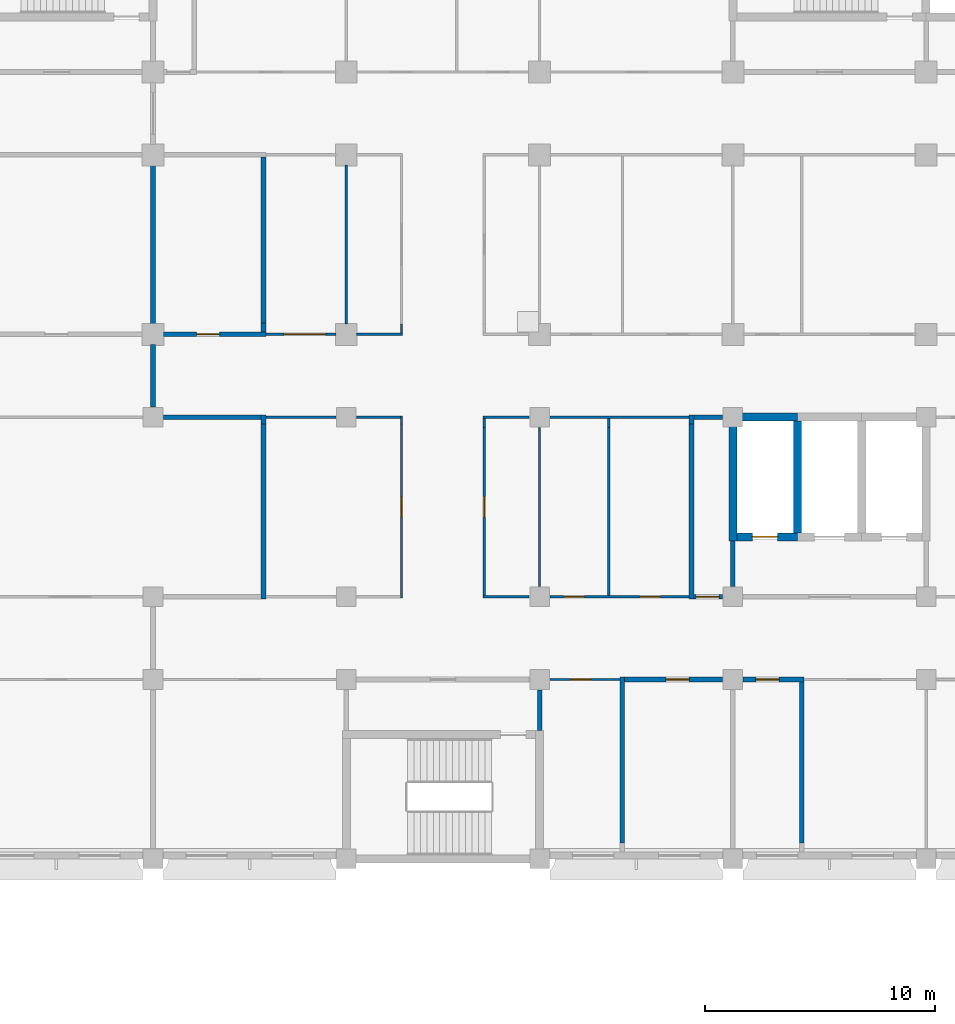
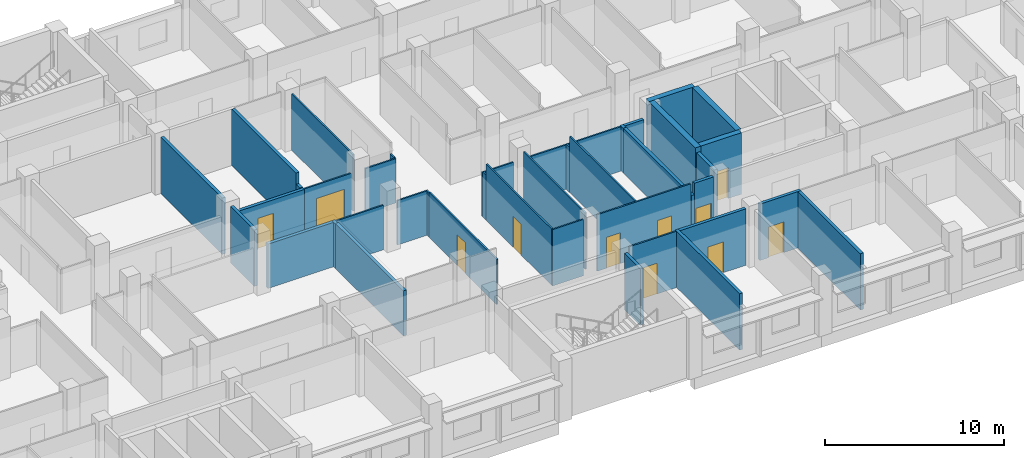
# One storey, part 63 of 109: 40 walls, 11 doors, 11 openings.
"""IFC4 building model written with IfcOpenShell, lengths in metres."""

from ifc_helpers import new_model, si_unit, direction, frame, frame_2d, origin, place, context, subcontext, project, spatial, rectangle, extrude, material, layer, layer_set, type_object, element, fill, save


model = new_model("IFC4")

# Units and contexts
model_context = context("Model", 3, precision=1e-05, world=origin(), true_north=direction((0.0, 1.0)))
body_context = subcontext(model_context, "Body", "Model", "MODEL_VIEW")
ifc_project = project(units=[si_unit("LENGTHUNIT", "METRE"), si_unit("AREAUNIT", "SQUARE_METRE"), si_unit("VOLUMEUNIT", "CUBIC_METRE"), si_unit("PLANEANGLEUNIT", "RADIAN"), si_unit("MASSUNIT", "GRAM", prefix="KILO")], contexts=[model_context])

# Site, building, storey
site_placement = place(None, origin())
site = spatial("IfcSite", under=ifc_project, at=site_placement, CompositionType="ELEMENT")
building_placement = place(site_placement, origin())
building = spatial("IfcBuilding", under=site, at=building_placement, Name="Bougainvillea Quay General Hospital", CompositionType="ELEMENT")
storey_placement = place(building_placement, frame((0.0, 0.0, 12.60009765625)))
storey = spatial("IfcBuildingStorey", under=building, at=storey_placement, Name="L02", CompositionType="ELEMENT", Elevation=12.60009765625)

# Wall, openings, doors
ifc_material_1 = material(Name="Gypsum board partition on steel studs", Category="steel")
ifc_layer_1 = layer(ifc_material_1, 0.10009765625)
ifc_layer_set_1 = layer_set([ifc_layer_1], Name="Gypsum board partition on steel studs")
wall_type_1 = type_object("IfcWallType", Name="Partition 100 Gypsum board partition", PredefinedType="PARTITIONING", material=ifc_layer_set_1)
wall_1_placement = place(storey_placement, frame((132.5, 129.0, 0.0), z_axis=(0.0, 0.0, 1.0), x_axis=(-1.0, 0.0, 0.0)))
wall_1 = element("IfcWall", 1, at=wall_1_placement, inside=storey, type_object=wall_type_1, Name="Partition 100 mm", PredefinedType="PARTITIONING", context=body_context, shape_type="SweptSolid", body=[
    extrude(rectangle(XDim=6.050048828125, YDim=0.10009765625, at=frame_2d((3.02490234375, 0.0))), origin(), (0.0, 0.0, 1.0), 3.849853515625),
])
opening_1_placement = place(wall_1_placement, frame((4.550048828125, 0.0, 0.0)))
opening_1 = element("IfcOpeningElement", 2, at=opening_1_placement, cuts=wall_1, Name="Opening L02.113", PredefinedType="OPENING", context=body_context, shape_type="SweptSolid", body=[
    extrude(rectangle(XDim=0.89990234375, YDim=2.10009765625, at=frame_2d((0.449951171875, 1.050048828125))), frame((0.0, 0.06005859375, 0.0), z_axis=(0.0, -1.0, 0.0), x_axis=(1.0, 0.0, 0.0)), (0.0, 0.0, 1.0), 0.1201171875),
])
opening_2_placement = place(wall_1_placement, frame((1.25, 0.0, 0.0)))
opening_2 = element("IfcOpeningElement", 3, at=opening_2_placement, cuts=wall_1, Name="Opening L02.114", PredefinedType="OPENING", context=body_context, shape_type="SweptSolid", body=[
    extrude(rectangle(XDim=0.89990234375, YDim=2.10009765625, at=frame_2d((0.449951171875, 1.050048828125))), frame((0.0, 0.06005859375, 0.0), z_axis=(0.0, -1.0, 0.0), x_axis=(1.0, 0.0, 0.0)), (0.0, 0.0, 1.0), 0.1201171875),
])
ifc_material_2 = material(Name="Solid-core timber door leaf in steel frame", Category="steel")
door_type_1 = type_object("IfcDoorType", Name="Single leaf door 900x2100", OperationType="NOTDEFINED", PredefinedType="DOOR", material=ifc_material_2)
door_1_placement = place(opening_1_placement, frame((0.89990234375, 0.0, 0.0), z_axis=(0.0, 0.0, 1.0), x_axis=(-1.0, 0.0, 0.0)))
door_1 = element("IfcDoor", 4, at=door_1_placement, inside=storey, type_object=door_type_1, Name="DT07 L02.113", OperationType="SINGLE_SWING_LEFT", OverallHeight=2.10009765625, OverallWidth=0.89990234375, PredefinedType="DOOR", context=body_context, shape_type="SweptSolid", body=[
    extrude(rectangle(XDim=0.89990234375, YDim=2.10009765625, at=frame_2d((0.449951171875, 1.050048828125))), frame((0.0, 0.02490234375, 0.0), z_axis=(0.0, -1.0, 0.0), x_axis=(1.0, 0.0, 0.0)), (0.0, 0.0, 1.0), 0.050048828125),
])
fill(opening_1, door_1)
door_2_placement = place(opening_2_placement, frame((0.89990234375, 0.0, 0.0), z_axis=(0.0, 0.0, 1.0), x_axis=(-1.0, 0.0, 0.0)))
door_2 = element("IfcDoor", 5, at=door_2_placement, inside=storey, type_object=door_type_1, Name="DT07 L02.114", OperationType="SINGLE_SWING_RIGHT", OverallHeight=2.10009765625, OverallWidth=0.89990234375, PredefinedType="DOOR", context=body_context, shape_type="SweptSolid", body=[
    extrude(rectangle(XDim=0.89990234375, YDim=2.10009765625, at=frame_2d((0.449951171875, 1.050048828125))), frame((0.0, 0.02490234375, 0.0), z_axis=(0.0, -1.0, 0.0), x_axis=(1.0, 0.0, 0.0)), (0.0, 0.0, 1.0), 0.050048828125),
])
fill(opening_2, door_2)

# Walls
wall_2_placement = place(storey_placement, frame((125.550048828125, 129.0, 0.0), z_axis=(0.0, 0.0, 1.0), x_axis=(-1.0, 0.0, 0.0)))
element("IfcWall", 6, at=wall_2_placement, inside=storey, type_object=wall_type_1, Name="Partition 100 mm", PredefinedType="PARTITIONING", context=body_context, shape_type="SweptSolid", body=[
    extrude(rectangle(XDim=2.0, YDim=0.10009765625, at=frame_2d((1.0, 0.0))), origin(), (0.0, 0.0, 1.0), 3.849853515625),
])
wall_3_placement = place(storey_placement, frame((132.5, 136.800048828125, 0.0), z_axis=(0.0, 0.0, 1.0), x_axis=(-1.0, 0.0, 0.0)))
element("IfcWall", 7, at=wall_3_placement, inside=storey, type_object=wall_type_1, Name="Partition 100 mm", PredefinedType="PARTITIONING", context=body_context, shape_type="SweptSolid", body=[
    extrude(rectangle(XDim=6.050048828125, YDim=0.10009765625, at=frame_2d((3.02490234375, 0.0))), origin(), (0.0, 0.0, 1.0), 3.02978515625),
])
wall_4_placement = place(storey_placement, frame((125.550048828125, 136.800048828125, 0.0), z_axis=(0.0, 0.0, 1.0), x_axis=(-1.0, 0.0, 0.0)))
element("IfcWall", 8, at=wall_4_placement, inside=storey, type_object=wall_type_1, Name="Partition 100 mm", PredefinedType="PARTITIONING", context=body_context, shape_type="SweptSolid", body=[
    extrude(rectangle(XDim=2.0, YDim=0.10009765625, at=frame_2d((1.0, 0.0))), origin(), (0.0, 0.0, 1.0), 3.02978515625),
])

# Wall, opening, door
wall_5_placement = place(storey_placement, frame((120.0, 128.949951171875, 0.0), z_axis=(0.0, 0.0, 1.0), x_axis=(0.0, 1.0, 0.0)))
wall_5 = element("IfcWall", 9, at=wall_5_placement, inside=storey, type_object=wall_type_1, Name="Partition 100 mm", PredefinedType="PARTITIONING", context=body_context, shape_type="SweptSolid", body=[
    extrude(rectangle(XDim=7.550048828125, YDim=0.10009765625, at=frame_2d((3.77490234375, 0.0))), origin(), (0.0, 0.0, 1.0), 3.079833984375),
])
opening_3_placement = place(wall_5_placement, frame((3.5, 0.0, 0.0)))
opening_3 = element("IfcOpeningElement", 10, at=opening_3_placement, cuts=wall_5, Name="Opening L02.105", PredefinedType="OPENING", context=body_context, shape_type="SweptSolid", body=[
    extrude(rectangle(XDim=0.89990234375, YDim=2.10009765625, at=frame_2d((0.449951171875, 1.050048828125))), frame((0.0, 0.06005859375, 0.0), z_axis=(0.0, -1.0, 0.0), x_axis=(1.0, 0.0, 0.0)), (0.0, 0.0, 1.0), 0.1201171875),
])
door_3_placement = place(opening_3_placement, origin())
door_3 = element("IfcDoor", 11, at=door_3_placement, inside=storey, type_object=door_type_1, Name="DT07 L02.105", OperationType="SINGLE_SWING_RIGHT", OverallHeight=2.10009765625, OverallWidth=0.89990234375, PredefinedType="DOOR", context=body_context, shape_type="SweptSolid", body=[
    extrude(rectangle(XDim=0.89990234375, YDim=2.10009765625, at=frame_2d((0.449951171875, 1.050048828125))), frame((0.0, 0.02490234375, 0.0), z_axis=(0.0, -1.0, 0.0), x_axis=(1.0, 0.0, 0.0)), (0.0, 0.0, 1.0), 0.050048828125),
])
fill(opening_3, door_3)

# Wall
wall_6_placement = place(storey_placement, frame((120.0, 136.5, 0.0), z_axis=(0.0, 0.0, 1.0), x_axis=(0.0, 1.0, 0.0)))
element("IfcWall", 12, at=wall_6_placement, inside=storey, type_object=wall_type_1, Name="Partition 100 mm", PredefinedType="PARTITIONING", context=body_context, shape_type="SweptSolid", body=[
    extrude(rectangle(XDim=0.35009765625, YDim=0.10009765625, at=frame_2d((0.175048828125, 0.0))), origin(), (0.0, 0.0, 1.0), 3.02978515625),
])

# Wall, opening, door
wall_7_placement = place(storey_placement, frame((123.60009765625, 129.050048828125, 0.0), z_axis=(0.0, 0.0, 1.0), x_axis=(0.0, 1.0, 0.0)))
wall_7 = element("IfcWall", 13, at=wall_7_placement, inside=storey, type_object=wall_type_1, Name="Partition 100 mm", PredefinedType="PARTITIONING", context=body_context, shape_type="SweptSolid", body=[
    extrude(rectangle(XDim=7.300048828125, YDim=0.10009765625, at=frame_2d((3.64990234375, 0.0))), origin(), (0.0, 0.0, 1.0), 3.849853515625),
])
opening_4_placement = place(wall_7_placement, frame((3.39990234375, 0.0, 0.0)))
opening_4 = element("IfcOpeningElement", 14, at=opening_4_placement, cuts=wall_7, Name="Opening L02.106", PredefinedType="OPENING", context=body_context, shape_type="SweptSolid", body=[
    extrude(rectangle(XDim=0.89990234375, YDim=2.10009765625, at=frame_2d((0.449951171875, 1.050048828125))), frame((0.0, 0.06005859375, 0.0), z_axis=(0.0, -1.0, 0.0), x_axis=(1.0, 0.0, 0.0)), (0.0, 0.0, 1.0), 0.1201171875),
])
door_4_placement = place(opening_4_placement, frame((0.89990234375, 0.0, 0.0), z_axis=(0.0, 0.0, 1.0), x_axis=(-1.0, 0.0, 0.0)))
door_4 = element("IfcDoor", 15, at=door_4_placement, inside=storey, type_object=door_type_1, Name="DT07 L02.106", OperationType="SINGLE_SWING_LEFT", OverallHeight=2.10009765625, OverallWidth=0.89990234375, PredefinedType="DOOR", context=body_context, shape_type="SweptSolid", body=[
    extrude(rectangle(XDim=0.89990234375, YDim=2.10009765625, at=frame_2d((0.449951171875, 1.050048828125))), frame((0.0, 0.02490234375, 0.0), z_axis=(0.0, -1.0, 0.0), x_axis=(1.0, 0.0, 0.0)), (0.0, 0.0, 1.0), 0.050048828125),
])
fill(opening_4, door_4)

# Walls
wall_8_placement = place(storey_placement, frame((123.60009765625, 136.35009765625, 0.0), z_axis=(0.0, 0.0, 1.0), x_axis=(0.0, 1.0, 0.0)))
element("IfcWall", 16, at=wall_8_placement, inside=storey, type_object=wall_type_1, Name="Partition 100 mm", PredefinedType="PARTITIONING", context=body_context, shape_type="SweptSolid", body=[
    extrude(rectangle(XDim=0.39990234375, YDim=0.10009765625, at=frame_2d((0.199951171875, 0.0))), origin(), (0.0, 0.0, 1.0), 3.079833984375),
])
wall_9_placement = place(storey_placement, frame((126.0, 129.449951171875, 0.0), z_axis=(0.0, 0.0, 1.0), x_axis=(0.0, 1.0, 0.0)))
element("IfcWall", 17, at=wall_9_placement, inside=storey, type_object=wall_type_1, Name="Partition 100 mm", PredefinedType="PARTITIONING", context=body_context, shape_type="SweptSolid", body=[
    extrude(rectangle(XDim=6.900146484375, YDim=0.10009765625, at=frame_2d((3.4501953125, 0.0))), origin(), (0.0, 0.0, 1.0), 3.849853515625),
])
wall_10_placement = place(storey_placement, frame((129.0, 129.050048828125, 0.0), z_axis=(0.0, 0.0, 1.0), x_axis=(0.0, 1.0, 0.0)))
element("IfcWall", 18, at=wall_10_placement, inside=storey, type_object=wall_type_1, Name="Partition 100 mm", PredefinedType="PARTITIONING", context=body_context, shape_type="SweptSolid", body=[
    extrude(rectangle(XDim=7.300048828125, YDim=0.10009765625, at=frame_2d((3.64990234375, 0.0))), origin(), (0.0, 0.0, 1.0), 3.849853515625),
])
wall_11_placement = place(storey_placement, frame((129.0, 136.35009765625, 0.0), z_axis=(0.0, 0.0, 1.0), x_axis=(0.0, 1.0, 0.0)))
element("IfcWall", 19, at=wall_11_placement, inside=storey, type_object=wall_type_1, Name="Partition 100 mm", PredefinedType="PARTITIONING", context=body_context, shape_type="SweptSolid", body=[
    extrude(rectangle(XDim=0.39990234375, YDim=0.10009765625, at=frame_2d((0.199951171875, 0.0))), origin(), (0.0, 0.0, 1.0), 3.079833984375),
])

# Wall, opening, door
wall_12_placement = place(storey_placement, frame((114.10009765625, 140.39990234375, 0.0), z_axis=(0.0, 0.0, 1.0), x_axis=(1.0, 0.0, 0.0)))
wall_12 = element("IfcWall", 20, at=wall_12_placement, inside=storey, type_object=wall_type_1, Name="Partition 100 mm", PredefinedType="PARTITIONING", context=body_context, shape_type="SweptSolid", body=[
    extrude(rectangle(XDim=3.0498046875, YDim=0.10009765625, at=frame_2d((1.52490234375, 0.0))), origin(), (0.0, 0.0, 1.0), 3.02978515625),
])
opening_5_placement = place(wall_12_placement, frame((0.800048828125, 0.0, 0.0)))
opening_5 = element("IfcOpeningElement", 21, at=opening_5_placement, cuts=wall_12, Name="Opening L02.149", PredefinedType="OPENING", context=body_context, shape_type="SweptSolid", body=[
    extrude(rectangle(XDim=1.800048828125, YDim=2.10009765625, at=frame_2d((0.89990234375, 1.050048828125))), frame((0.0, 0.06005859375, 0.0), z_axis=(0.0, -1.0, 0.0), x_axis=(1.0, 0.0, 0.0)), (0.0, 0.0, 1.0), 0.1201171875),
])
ifc_material_3 = material(Name="Solid-core timber door leaves in steel frame", Category="steel")
door_type_2 = type_object("IfcDoorType", Name="Double leaf door 1800x2100", OperationType="DOUBLE_DOOR_SINGLE_SWING", PredefinedType="DOOR", material=ifc_material_3)
door_5_placement = place(opening_5_placement, origin())
door_5 = element("IfcDoor", 22, at=door_5_placement, inside=storey, type_object=door_type_2, Name="DT08 L02.149", OperationType="DOUBLE_DOOR_SINGLE_SWING", OverallHeight=2.10009765625, OverallWidth=1.800048828125, PredefinedType="DOOR", context=body_context, shape_type="SweptSolid", body=[
    extrude(rectangle(XDim=1.800048828125, YDim=2.10009765625, at=frame_2d((0.89990234375, 1.050048828125))), frame((0.0, 0.02490234375, 0.0), z_axis=(0.0, -1.0, 0.0), x_axis=(1.0, 0.0, 0.0)), (0.0, 0.0, 1.0), 0.050048828125),
])
fill(opening_5, door_5)

# Walls
wall_13_placement = place(storey_placement, frame((118.050048828125, 140.39990234375, 0.0), z_axis=(0.0, 0.0, 1.0), x_axis=(1.0, 0.0, 0.0)))
element("IfcWall", 23, at=wall_13_placement, inside=storey, type_object=wall_type_1, Name="Partition 100 mm", PredefinedType="PARTITIONING", context=body_context, shape_type="SweptSolid", body=[
    extrude(rectangle(XDim=2.0, YDim=0.10009765625, at=frame_2d((1.0, 0.0))), origin(), (0.0, 0.0, 1.0), 3.02978515625),
])
wall_14_placement = place(storey_placement, frame((117.60009765625, 140.85009765625, 0.0), z_axis=(0.0, 0.0, 1.0), x_axis=(0.0, 1.0, 0.0)))
element("IfcWall", 24, at=wall_14_placement, inside=storey, type_object=wall_type_1, Name="Partition 100 mm", PredefinedType="PARTITIONING", context=body_context, shape_type="SweptSolid", body=[
    extrude(rectangle(XDim=6.89990234375, YDim=0.10009765625, at=frame_2d((3.449951171875, 0.0))), origin(), (0.0, 0.0, 1.0), 3.849853515625),
])
wall_15_placement = place(storey_placement, frame((120.0, 140.449951171875, 0.0), z_axis=(0.0, 0.0, 1.0), x_axis=(0.0, 1.0, 0.0)))
element("IfcWall", 25, at=wall_15_placement, inside=storey, type_object=wall_type_1, Name="Partition 100 mm", PredefinedType="PARTITIONING", context=body_context, shape_type="SweptSolid", body=[
    extrude(rectangle(XDim=0.400146484375, YDim=0.10009765625, at=frame_2d((0.2001953125, 0.0))), origin(), (0.0, 0.0, 1.0), 3.079833984375),
])
wall_16_placement = place(storey_placement, frame((114.10009765625, 136.800048828125, 0.0), z_axis=(0.0, 0.0, 1.0), x_axis=(1.0, 0.0, 0.0)))
element("IfcWall", 26, at=wall_16_placement, inside=storey, type_object=wall_type_1, Name="Partition 100 mm", PredefinedType="PARTITIONING", context=body_context, shape_type="SweptSolid", body=[
    extrude(rectangle(XDim=3.0498046875, YDim=0.10009765625, at=frame_2d((1.52490234375, 0.0))), origin(), (0.0, 0.0, 1.0), 3.02978515625),
])
wall_17_placement = place(storey_placement, frame((118.050048828125, 136.800048828125, 0.0), z_axis=(0.0, 0.0, 1.0), x_axis=(1.0, 0.0, 0.0)))
element("IfcWall", 27, at=wall_17_placement, inside=storey, type_object=wall_type_1, Name="Partition 100 mm", PredefinedType="PARTITIONING", context=body_context, shape_type="SweptSolid", body=[
    extrude(rectangle(XDim=1.89990234375, YDim=0.10009765625, at=frame_2d((0.949951171875, 0.0))), origin(), (0.0, 0.0, 1.0), 3.02978515625),
])

# Wall, opening, door
wall_18_placement = place(storey_placement, frame((126.449951171875, 125.39990234375, 0.0), z_axis=(0.0, 0.0, 1.0), x_axis=(1.0, 0.0, 0.0)))
wall_18 = element("IfcWall", 28, at=wall_18_placement, inside=storey, type_object=wall_type_1, Name="Partition 100 mm", PredefinedType="PARTITIONING", context=body_context, shape_type="SweptSolid", body=[
    extrude(rectangle(XDim=3.050048828125, YDim=0.10009765625, at=frame_2d((1.52490234375, 0.0))), origin(), (0.0, 0.0, 1.0), 3.849853515625),
])
opening_6_placement = place(wall_18_placement, frame((0.89990234375, 0.0, 0.0)))
opening_6 = element("IfcOpeningElement", 29, at=opening_6_placement, cuts=wall_18, Name="Opening L02.107", PredefinedType="OPENING", context=body_context, shape_type="SweptSolid", body=[
    extrude(rectangle(XDim=0.89990234375, YDim=2.10009765625, at=frame_2d((0.449951171875, 1.050048828125))), frame((0.0, 0.06005859375, 0.0), z_axis=(0.0, -1.0, 0.0), x_axis=(1.0, 0.0, 0.0)), (0.0, 0.0, 1.0), 0.1201171875),
])
door_6_placement = place(opening_6_placement, frame((0.89990234375, 0.0, 0.0), z_axis=(0.0, 0.0, 1.0), x_axis=(-1.0, 0.0, 0.0)))
door_6 = element("IfcDoor", 30, at=door_6_placement, inside=storey, type_object=door_type_1, Name="DT07 L02.107", OperationType="SINGLE_SWING_RIGHT", OverallHeight=2.10009765625, OverallWidth=0.89990234375, PredefinedType="DOOR", context=body_context, shape_type="SweptSolid", body=[
    extrude(rectangle(XDim=0.89990234375, YDim=2.10009765625, at=frame_2d((0.449951171875, 1.050048828125))), frame((0.0, 0.02490234375, 0.0), z_axis=(0.0, -1.0, 0.0), x_axis=(1.0, 0.0, 0.0)), (0.0, 0.0, 1.0), 0.050048828125),
])
fill(opening_6, door_6)

# Walls
ifc_material_4 = material(Name="Fire-rated autoclaved aerated block wall, plastered")
ifc_layer_2 = layer(ifc_material_4, 0.199951171875)
ifc_layer_set_2 = layer_set([ifc_layer_2], Name="Fire-rated autoclaved aerated block wall, plastered")
wall_type_2 = type_object("IfcWallType", Name="Partition 200 Fire-rated autoclaved aerated block wall EI 120", PredefinedType="SOLIDWALL", material=ifc_layer_set_2)
wall_19_placement = place(storey_placement, frame((109.199951171875, 147.75, 0.0), z_axis=(0.0, 0.0, 1.0), x_axis=(0.0, -1.0, 0.0)))
element("IfcWall", 31, at=wall_19_placement, inside=storey, type_object=wall_type_2, Name="Partition 200 mm EI 120", PredefinedType="SOLIDWALL", context=body_context, shape_type="SweptSolid", body=[
    extrude(rectangle(XDim=6.89990234375, YDim=0.199951171875, at=frame_2d((3.449951171875, 0.0))), origin(), (0.0, 0.0, 1.0), 3.849853515625),
])
wall_20_placement = place(storey_placement, frame((109.199951171875, 139.949951171875, 0.0), z_axis=(0.0, 0.0, 1.0), x_axis=(0.0, -1.0, 0.0)))
element("IfcWall", 32, at=wall_20_placement, inside=storey, type_object=wall_type_2, Name="Partition 200 mm EI 120", PredefinedType="SOLIDWALL", context=body_context, shape_type="SweptSolid", body=[
    extrude(rectangle(XDim=2.699951171875, YDim=0.199951171875, at=frame_2d((1.35009765625, 0.0))), origin(), (0.0, 0.0, 1.0), 3.849853515625),
])

# Wall, opening, door
wall_21_placement = place(storey_placement, frame((109.64990234375, 140.39990234375, 0.0), z_axis=(0.0, 0.0, 1.0), x_axis=(1.0, 0.0, 0.0)))
wall_21 = element("IfcWall", 33, at=wall_21_placement, inside=storey, type_object=wall_type_2, Name="Partition 200 mm EI 120", PredefinedType="SOLIDWALL", context=body_context, shape_type="SweptSolid", body=[
    extrude(rectangle(XDim=4.4501953125, YDim=0.199951171875, at=frame_2d((2.22509765625, 0.0))), origin(), (0.0, 0.0, 1.0), 3.02978515625),
])
opening_7_placement = place(wall_21_placement, frame((1.449951171875, 0.0, 0.0)))
opening_7 = element("IfcOpeningElement", 34, at=opening_7_placement, cuts=wall_21, Name="Opening L02.148", PredefinedType="OPENING", context=body_context, shape_type="SweptSolid", body=[
    extrude(rectangle(XDim=1.0, YDim=2.10009765625, at=frame_2d((0.5, 1.050048828125))), frame((0.0, 0.10986328125, 0.0), z_axis=(0.0, -1.0, 0.0), x_axis=(1.0, 0.0, 0.0)), (0.0, 0.0, 1.0), 0.219970703125),
])
ifc_material_5 = material(Name="Steel fire door leaf in steel frame", Category="steel")
door_type_3 = type_object("IfcDoorType", Name="Steel single leaf door 1000x2100 FD90", OperationType="NOTDEFINED", PredefinedType="DOOR", material=ifc_material_5)
door_7_placement = place(opening_7_placement, origin())
door_7 = element("IfcDoor", 35, at=door_7_placement, inside=storey, type_object=door_type_3, Name="DT11 L02.148", OperationType="SINGLE_SWING_LEFT", OverallHeight=2.10009765625, OverallWidth=1.0, PredefinedType="DOOR", context=body_context, shape_type="SweptSolid", body=[
    extrude(rectangle(XDim=1.0, YDim=2.10009765625, at=frame_2d((0.5, 1.050048828125))), frame((0.0, 0.02490234375, 0.0), z_axis=(0.0, -1.0, 0.0), x_axis=(1.0, 0.0, 0.0)), (0.0, 0.0, 1.0), 0.050048828125),
])
fill(opening_7, door_7)

# Walls
wall_22_placement = place(storey_placement, frame((114.0, 128.89990234375, 0.0), z_axis=(0.0, 0.0, 1.0), x_axis=(0.0, 1.0, 0.0)))
element("IfcWall", 36, at=wall_22_placement, inside=storey, type_object=wall_type_2, Name="Partition 200 mm EI 120", PredefinedType="SOLIDWALL", context=body_context, shape_type="SweptSolid", body=[
    extrude(rectangle(XDim=7.60009765625, YDim=0.199951171875, at=frame_2d((3.800048828125, 0.0))), origin(), (0.0, 0.0, 1.0), 3.079833984375),
])
wall_23_placement = place(storey_placement, frame((114.0, 136.5, 0.0), z_axis=(0.0, 0.0, 1.0), x_axis=(0.0, 1.0, 0.0)))
element("IfcWall", 37, at=wall_23_placement, inside=storey, type_object=wall_type_2, Name="Partition 200 mm EI 120", PredefinedType="SOLIDWALL", context=body_context, shape_type="SweptSolid", body=[
    extrude(rectangle(XDim=0.39990234375, YDim=0.199951171875, at=frame_2d((0.199951171875, 0.0))), origin(), (0.0, 0.0, 1.0), 3.02978515625),
])
wall_24_placement = place(storey_placement, frame((114.0, 140.5, 0.0), z_axis=(0.0, 0.0, 1.0), x_axis=(0.0, 1.0, 0.0)))
element("IfcWall", 38, at=wall_24_placement, inside=storey, type_object=wall_type_2, Name="Partition 200 mm EI 120", PredefinedType="SOLIDWALL", context=body_context, shape_type="SweptSolid", body=[
    extrude(rectangle(XDim=0.39990234375, YDim=0.199951171875, at=frame_2d((0.199951171875, 0.0))), origin(), (0.0, 0.0, 1.0), 3.079833984375),
])
wall_25_placement = place(storey_placement, frame((114.0, 140.89990234375, 0.0), z_axis=(0.0, 0.0, 1.0), x_axis=(0.0, 1.0, 0.0)))
element("IfcWall", 39, at=wall_25_placement, inside=storey, type_object=wall_type_2, Name="Partition 200 mm EI 120", PredefinedType="SOLIDWALL", context=body_context, shape_type="SweptSolid", body=[
    extrude(rectangle(XDim=7.2001953125, YDim=0.199951171875, at=frame_2d((3.60009765625, 0.0))), origin(), (0.0, 0.0, 1.0), 3.849853515625),
])
wall_26_placement = place(storey_placement, frame((109.64990234375, 136.800048828125, 0.0), z_axis=(0.0, 0.0, 1.0), x_axis=(1.0, 0.0, 0.0)))
element("IfcWall", 40, at=wall_26_placement, inside=storey, type_object=wall_type_2, Name="Partition 200 mm EI 120", PredefinedType="SOLIDWALL", context=body_context, shape_type="SweptSolid", body=[
    extrude(rectangle(XDim=4.25, YDim=0.199951171875, at=frame_2d((2.125, 0.0))), origin(), (0.0, 0.0, 1.0), 3.02978515625),
])
wall_27_placement = place(storey_placement, frame((134.39990234375, 129.449951171875, 0.0), z_axis=(0.0, 0.0, 1.0), x_axis=(0.0, 1.0, 0.0)))
element("IfcWall", 41, at=wall_27_placement, inside=storey, type_object=wall_type_2, Name="Partition 200 mm EI 120", PredefinedType="SOLIDWALL", context=body_context, shape_type="SweptSolid", body=[
    extrude(rectangle(XDim=1.97509765625, YDim=0.199951171875, at=frame_2d((0.987548828125, 0.0))), origin(), (0.0, 0.0, 1.0), 3.849853515625),
])
wall_28_placement = place(storey_placement, frame((126.0, 123.175048828125, 0.0), z_axis=(0.0, 0.0, 1.0), x_axis=(0.0, 1.0, 0.0)))
element("IfcWall", 42, at=wall_28_placement, inside=storey, type_object=wall_type_2, Name="Partition 200 mm EI 120", PredefinedType="SOLIDWALL", context=body_context, shape_type="SweptSolid", body=[
    extrude(rectangle(XDim=1.77490234375, YDim=0.199951171875, at=frame_2d((0.887451171875, 0.0))), origin(), (0.0, 0.0, 1.0), 3.849853515625),
])
ifc_layer_3 = layer(ifc_material_4, 0.199951171875)
ifc_layer_set_3 = layer_set([ifc_layer_3], Name="Fire-rated autoclaved aerated block wall, plastered")
wall_type_3 = type_object("IfcWallType", Name="Partition 200 Fire-rated autoclaved aerated block wall EI 60", PredefinedType="SOLIDWALL", material=ifc_layer_set_3)
wall_29_placement = place(storey_placement, frame((129.60009765625, 118.300048828125, 0.0), z_axis=(0.0, 0.0, 1.0), x_axis=(0.0, 1.0, 0.0)))
element("IfcWall", 43, at=wall_29_placement, inside=storey, type_object=wall_type_3, Name="Partition 200 mm EI 60", PredefinedType="SOLIDWALL", context=body_context, shape_type="SweptSolid", body=[
    extrude(rectangle(XDim=7.199951171875, YDim=0.199951171875, at=frame_2d((3.60009765625, 0.0))), origin(), (0.0, 0.0, 1.0), 3.849853515625),
])

# Wall, opening, door
wall_30_placement = place(storey_placement, frame((129.699951171875, 125.39990234375, 0.0), z_axis=(0.0, 0.0, 1.0), x_axis=(1.0, 0.0, 0.0)))
wall_30 = element("IfcWall", 44, at=wall_30_placement, inside=storey, type_object=wall_type_3, Name="Partition 200 mm EI 60", PredefinedType="SOLIDWALL", context=body_context, shape_type="SweptSolid", body=[
    extrude(rectangle(XDim=4.25, YDim=0.199951171875, at=frame_2d((2.125, 0.0))), origin(), (0.0, 0.0, 1.0), 3.849853515625),
])
opening_8_placement = place(wall_30_placement, frame((1.800048828125, 0.0, 0.0)))
opening_8 = element("IfcOpeningElement", 45, at=opening_8_placement, cuts=wall_30, Name="Opening L02.108", PredefinedType="OPENING", context=body_context, shape_type="SweptSolid", body=[
    extrude(rectangle(XDim=1.0, YDim=2.10009765625, at=frame_2d((0.5, 1.050048828125))), frame((0.0, 0.10986328125, 0.0), z_axis=(0.0, -1.0, 0.0), x_axis=(1.0, 0.0, 0.0)), (0.0, 0.0, 1.0), 0.219970703125),
])
door_type_4 = type_object("IfcDoorType", Name="Steel single leaf door 1000x2100 FD60", OperationType="NOTDEFINED", PredefinedType="DOOR", material=ifc_material_5)
door_8_placement = place(opening_8_placement, frame((1.0, 0.0, 0.0), z_axis=(0.0, 0.0, 1.0), x_axis=(-1.0, 0.0, 0.0)))
door_8 = element("IfcDoor", 46, at=door_8_placement, inside=storey, type_object=door_type_4, Name="DT10 L02.108", OperationType="SINGLE_SWING_LEFT", OverallHeight=2.10009765625, OverallWidth=1.0, PredefinedType="DOOR", context=body_context, shape_type="SweptSolid", body=[
    extrude(rectangle(XDim=1.0, YDim=2.10009765625, at=frame_2d((0.5, 1.050048828125))), frame((0.0, 0.02490234375, 0.0), z_axis=(0.0, -1.0, 0.0), x_axis=(1.0, 0.0, 0.0)), (0.0, 0.0, 1.0), 0.050048828125),
])
fill(opening_8, door_8)

wall_31_placement = place(storey_placement, frame((134.85009765625, 125.39990234375, 0.0), z_axis=(0.0, 0.0, 1.0), x_axis=(1.0, 0.0, 0.0)))
wall_31 = element("IfcWall", 47, at=wall_31_placement, inside=storey, type_object=wall_type_3, Name="Partition 200 mm EI 60", PredefinedType="SOLIDWALL", context=body_context, shape_type="SweptSolid", body=[
    extrude(rectangle(XDim=2.64990234375, YDim=0.199951171875, at=frame_2d((1.324951171875, 0.0))), origin(), (0.0, 0.0, 1.0), 3.849853515625),
])
opening_9_placement = place(wall_31_placement, frame((0.550048828125, 0.0, 0.0)))
opening_9 = element("IfcOpeningElement", 48, at=opening_9_placement, cuts=wall_31, Name="Opening L02.109", PredefinedType="OPENING", context=body_context, shape_type="SweptSolid", body=[
    extrude(rectangle(XDim=1.0, YDim=2.10009765625, at=frame_2d((0.5, 1.050048828125))), frame((0.0, 0.10986328125, 0.0), z_axis=(0.0, -1.0, 0.0), x_axis=(1.0, 0.0, 0.0)), (0.0, 0.0, 1.0), 0.219970703125),
])
door_9_placement = place(opening_9_placement, frame((1.0, 0.0, 0.0), z_axis=(0.0, 0.0, 1.0), x_axis=(-1.0, 0.0, 0.0)))
door_9 = element("IfcDoor", 49, at=door_9_placement, inside=storey, type_object=door_type_4, Name="DT10 L02.109", OperationType="SINGLE_SWING_RIGHT", OverallHeight=2.10009765625, OverallWidth=1.0, PredefinedType="DOOR", context=body_context, shape_type="SweptSolid", body=[
    extrude(rectangle(XDim=1.0, YDim=2.10009765625, at=frame_2d((0.5, 1.050048828125))), frame((0.0, 0.02490234375, 0.0), z_axis=(0.0, -1.0, 0.0), x_axis=(1.0, 0.0, 0.0)), (0.0, 0.0, 1.0), 0.050048828125),
])
fill(opening_9, door_9)

# Walls
wall_32_placement = place(storey_placement, frame((137.39990234375, 118.300048828125, 0.0), z_axis=(0.0, 0.0, 1.0), x_axis=(0.0, 1.0, 0.0)))
element("IfcWall", 50, at=wall_32_placement, inside=storey, type_object=wall_type_3, Name="Partition 200 mm EI 60", PredefinedType="SOLIDWALL", context=body_context, shape_type="SweptSolid", body=[
    extrude(rectangle(XDim=7.0, YDim=0.199951171875, at=frame_2d((3.5, 0.0))), origin(), (0.0, 0.0, 1.0), 3.849853515625),
])
wall_33_placement = place(storey_placement, frame((132.60009765625, 128.89990234375, 0.0), z_axis=(0.0, 0.0, 1.0), x_axis=(0.0, 1.0, 0.0)))
element("IfcWall", 51, at=wall_33_placement, inside=storey, type_object=wall_type_3, Name="Partition 200 mm EI 60", PredefinedType="SOLIDWALL", context=body_context, shape_type="SweptSolid", body=[
    extrude(rectangle(XDim=7.60009765625, YDim=0.199951171875, at=frame_2d((3.800048828125, 0.0))), origin(), (0.0, 0.0, 1.0), 3.079833984375),
])
wall_34_placement = place(storey_placement, frame((132.60009765625, 136.5, 0.0), z_axis=(0.0, 0.0, 1.0), x_axis=(0.0, 1.0, 0.0)))
element("IfcWall", 52, at=wall_34_placement, inside=storey, type_object=wall_type_3, Name="Partition 200 mm EI 60", PredefinedType="SOLIDWALL", context=body_context, shape_type="SweptSolid", body=[
    extrude(rectangle(XDim=0.39990234375, YDim=0.199951171875, at=frame_2d((0.199951171875, 0.0))), origin(), (0.0, 0.0, 1.0), 3.02978515625),
])

# Wall, opening, door
wall_35_placement = place(storey_placement, frame((132.699951171875, 129.0, 0.0), z_axis=(0.0, 0.0, 1.0), x_axis=(1.0, 0.0, 0.0)))
wall_35 = element("IfcWall", 53, at=wall_35_placement, inside=storey, type_object=wall_type_3, Name="Partition 200 mm EI 60", PredefinedType="SOLIDWALL", context=body_context, shape_type="SweptSolid", body=[
    extrude(rectangle(XDim=1.25, YDim=0.199951171875, at=frame_2d((0.625, 0.0))), origin(), (0.0, 0.0, 1.0), 3.849853515625),
])
opening_10_placement = place(wall_35_placement, frame((0.10009765625, 0.0, 0.0)))
opening_10 = element("IfcOpeningElement", 54, at=opening_10_placement, cuts=wall_35, Name="Opening L02.115", PredefinedType="OPENING", context=body_context, shape_type="SweptSolid", body=[
    extrude(rectangle(XDim=1.0, YDim=2.10009765625, at=frame_2d((0.5, 1.050048828125))), frame((0.0, 0.10986328125, 0.0), z_axis=(0.0, -1.0, 0.0), x_axis=(1.0, 0.0, 0.0)), (0.0, 0.0, 1.0), 0.219970703125),
])
door_10_placement = place(opening_10_placement, origin())
door_10 = element("IfcDoor", 55, at=door_10_placement, inside=storey, type_object=door_type_4, Name="DT10 L02.115", OperationType="SINGLE_SWING_LEFT", OverallHeight=2.10009765625, OverallWidth=1.0, PredefinedType="DOOR", context=body_context, shape_type="SweptSolid", body=[
    extrude(rectangle(XDim=1.0, YDim=2.10009765625, at=frame_2d((0.5, 1.050048828125))), frame((0.0, 0.02490234375, 0.0), z_axis=(0.0, -1.0, 0.0), x_axis=(1.0, 0.0, 0.0)), (0.0, 0.0, 1.0), 0.050048828125),
])
fill(opening_10, door_10)

# Walls
wall_36_placement = place(storey_placement, frame((132.699951171875, 136.800048828125, 0.0), z_axis=(0.0, 0.0, 1.0), x_axis=(1.0, 0.0, 0.0)))
element("IfcWall", 56, at=wall_36_placement, inside=storey, type_object=wall_type_3, Name="Partition 200 mm EI 60", PredefinedType="SOLIDWALL", context=body_context, shape_type="SweptSolid", body=[
    extrude(rectangle(XDim=1.25, YDim=0.199951171875, at=frame_2d((0.625, 0.0))), origin(), (0.0, 0.0, 1.0), 3.02978515625),
])
ifc_material_6 = material(Name="Concrete C40", Category="concrete")
ifc_layer_4 = layer(ifc_material_6, 0.35009765625)
ifc_layer_set_4 = layer_set([ifc_layer_4], Name="Concrete C40")
wall_type_4 = type_object("IfcWallType", Name="RC SHEAR WALL 350 C40", PredefinedType="SHEAR", material=ifc_layer_set_4)
wall_37_placement = place(storey_placement, frame((134.22509765625, 136.800048828125, 0.0), z_axis=(0.0, 0.0, 1.0), x_axis=(1.0, 0.0, 0.0)))
element("IfcWall", 57, at=wall_37_placement, inside=storey, type_object=wall_type_4, Name="Shear wall L02", PredefinedType="SHEAR", context=body_context, shape_type="SweptSolid", body=[
    extrude(rectangle(XDim=2.974853515625, YDim=0.35009765625, at=frame_2d((1.4873046875, 0.0))), origin(), (0.0, 0.0, 1.0), 4.199951171875),
])
wall_38_placement = place(storey_placement, frame((134.39990234375, 131.425048828125, 0.0), z_axis=(0.0, 0.0, 1.0), x_axis=(0.0, 1.0, 0.0)))
element("IfcWall", 58, at=wall_38_placement, inside=storey, type_object=wall_type_4, Name="Shear wall L02", PredefinedType="SHEAR", context=body_context, shape_type="SweptSolid", body=[
    extrude(rectangle(XDim=5.199951171875, YDim=0.35009765625, at=frame_2d((2.60009765625, 0.0))), origin(), (0.0, 0.0, 1.0), 4.199951171875),
])

# Wall, opening, door
wall_39_placement = place(storey_placement, frame((134.574951171875, 131.60009765625, 0.0), z_axis=(0.0, 0.0, 1.0), x_axis=(1.0, 0.0, 0.0)))
wall_39 = element("IfcWall", 59, at=wall_39_placement, inside=storey, type_object=wall_type_4, Name="Shear wall L02", PredefinedType="SHEAR", context=body_context, shape_type="SweptSolid", body=[
    extrude(rectangle(XDim=2.625, YDim=0.35009765625, at=frame_2d((1.3125, 0.0))), origin(), (0.0, 0.0, 1.0), 4.199951171875),
])
opening_11_placement = place(wall_39_placement, frame((0.675048828125, 0.0, 0.0)))
opening_11 = element("IfcOpeningElement", 60, at=opening_11_placement, cuts=wall_39, Name="Opening LD-B2.1-L02", PredefinedType="OPENING", context=body_context, shape_type="SweptSolid", body=[
    extrude(rectangle(XDim=1.10009765625, YDim=2.10009765625, at=frame_2d((0.550048828125, 1.050048828125))), frame((0.0, 0.18505859375, 0.0), z_axis=(0.0, -1.0, 0.0), x_axis=(1.0, 0.0, 0.0)), (0.0, 0.0, 1.0), 0.3701171875),
])
ifc_material_7 = material(Name="Stainless steel centre-opening landing door", Category="steel")
door_type_5 = type_object("IfcDoorType", Name="Lift landing door 1100x2100 E 120", OperationType="DOUBLE_DOOR_SLIDING", PredefinedType="DOOR", material=ifc_material_7)
door_11_placement = place(opening_11_placement, origin())
door_11 = element("IfcDoor", 61, at=door_11_placement, inside=storey, type_object=door_type_5, Name="Lift landing door LB-B2-1 L02", OperationType="DOUBLE_DOOR_SLIDING", OverallHeight=2.10009765625, OverallWidth=1.10009765625, PredefinedType="DOOR", context=body_context, shape_type="SweptSolid", body=[
    extrude(rectangle(XDim=1.10009765625, YDim=2.10009765625, at=frame_2d((0.550048828125, 1.050048828125))), frame((0.0, 0.02490234375, 0.0), z_axis=(0.0, -1.0, 0.0), x_axis=(1.0, 0.0, 0.0)), (0.0, 0.0, 1.0), 0.050048828125),
])
fill(opening_11, door_11)

# Wall
wall_40_placement = place(storey_placement, frame((137.199951171875, 131.77490234375, 0.0), z_axis=(0.0, 0.0, 1.0), x_axis=(0.0, 1.0, 0.0)))
element("IfcWall", 62, at=wall_40_placement, inside=storey, type_object=wall_type_4, Name="Shear wall L02", PredefinedType="SHEAR", context=body_context, shape_type="SweptSolid", body=[
    extrude(rectangle(XDim=4.85009765625, YDim=0.35009765625, at=frame_2d((2.425048828125, 0.0))), origin(), (0.0, 0.0, 1.0), 4.199951171875),
])

save(model, "model.ifc")
